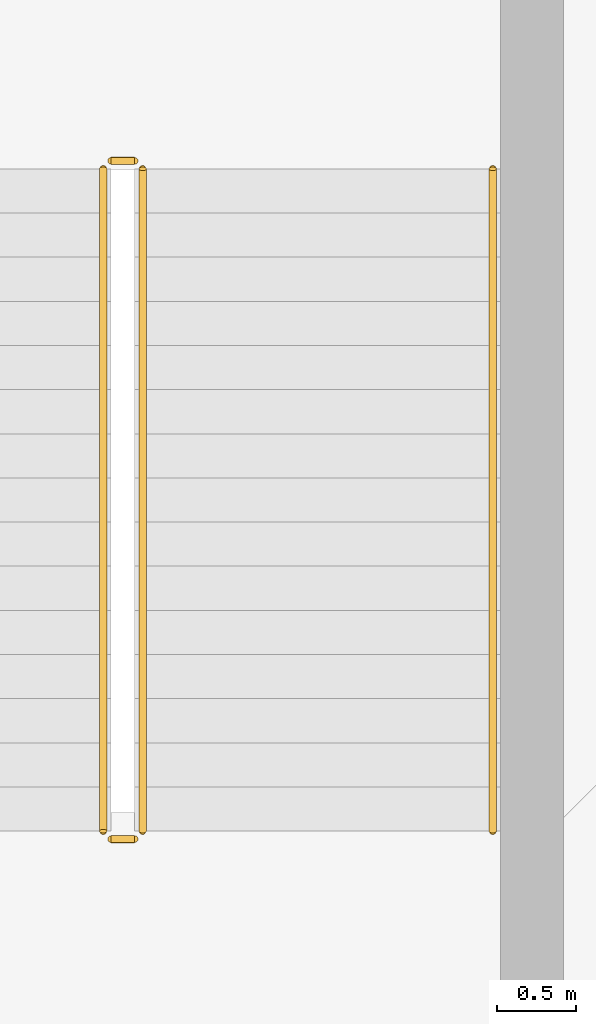
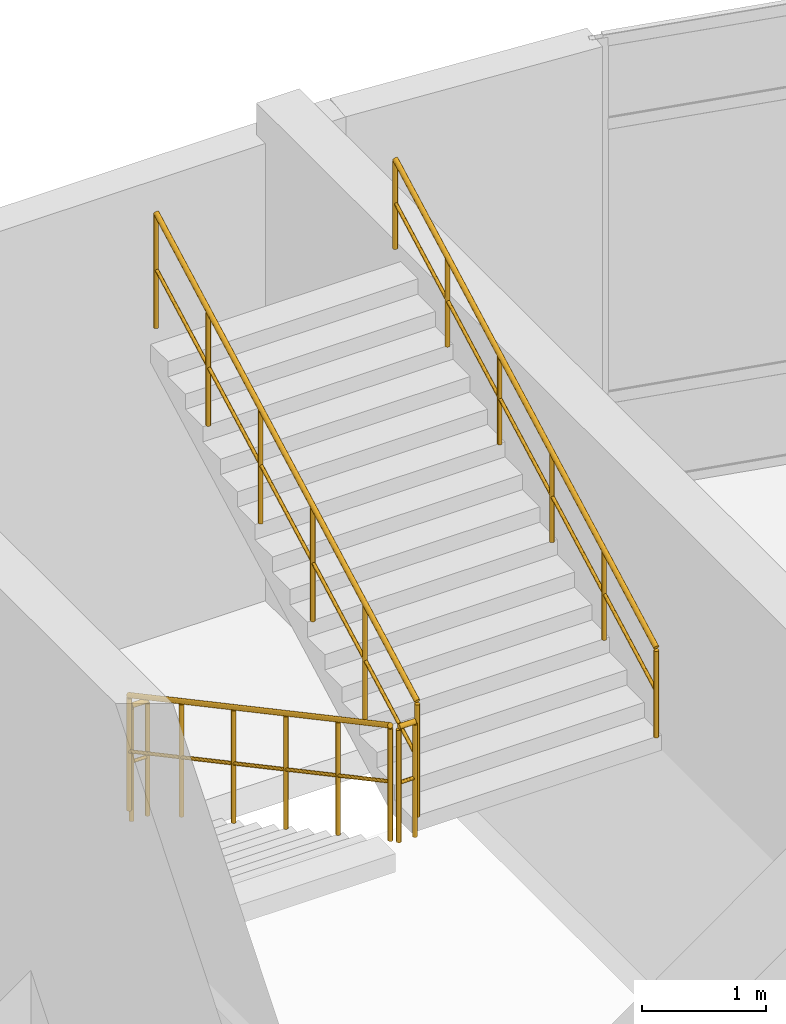
# One storey, part 75 of 76: 5 railings.
"""IFC4 building model written with IfcOpenShell, lengths in metres."""

from ifc_helpers import new_model, si_unit, derived_unit, direction, frame, origin, origin_2d, place, context, subcontext, project, spatial, circle, extrude, material, type_object, element, save


model = new_model("IFC4")

# Units and contexts
model_context = context("Model", 3, precision=1e-05, world=origin(), true_north=direction((0.0, 1.0)))
body_context = subcontext(model_context, "Body", "Model", "MODEL_VIEW")
ifc_project = project(units=[si_unit("LENGTHUNIT", "METRE"), si_unit("AREAUNIT", "SQUARE_METRE"), si_unit("VOLUMEUNIT", "CUBIC_METRE"), si_unit("PLANEANGLEUNIT", "RADIAN"), si_unit("MASSUNIT", "GRAM", prefix="KILO"), derived_unit("THERMALTRANSMITTANCEUNIT", [(si_unit("MASSUNIT", "GRAM", prefix="KILO"), 1), (si_unit("TIMEUNIT", "SECOND"), -3), (si_unit("THERMODYNAMICTEMPERATUREUNIT", "KELVIN"), -1)])], contexts=[model_context])

# Site, building, storey
site_placement = place(None, origin())
site = spatial("IfcSite", under=ifc_project, at=site_placement, CompositionType="ELEMENT")
building_placement = place(site_placement, origin())
building = spatial("IfcBuilding", under=site, at=building_placement, Name="Qinzheling Arcade Emporium", CompositionType="ELEMENT")
storey_placement = place(building_placement, frame((0.0, 0.0, 26.699951171875)))
storey = spatial("IfcBuildingStorey", under=building, at=storey_placement, Name="L06", CompositionType="ELEMENT", Elevation=26.699951171875)

# Railings
ifc_material_1 = material(Name="Galvanised powder-coated tubular steel", Category="steel")
railing_type_1 = type_object("IfcRailingType", Name="Painted Steel Stairwell Guard Railing 1150", PredefinedType="GUARDRAIL", material=ifc_material_1)
railing_1_placement = place(storey_placement, frame((117.324951171875, 104.47998046875, 0.150146484375)))
element("IfcRailing", 1, at=railing_1_placement, inside=storey, type_object=railing_type_1, Name="L06 ST08 stair guard 1", PredefinedType="GUARDRAIL", context=body_context, shape_type="SweptSolid", body=[
    extrude(circle(Radius=0.02392578125, at=origin_2d()), frame((0.0, 0.0, 1.1259765625), z_axis=(0.0, -0.881477684796, 0.472225678258), x_axis=(1.0, 0.0, 0.0)), (0.0, 0.0, 1.0), 4.7646484375),
    extrude(circle(Radius=0.01611328125, at=origin_2d()), frame((0.0, 0.0, 0.574951171875), z_axis=(0.0, -0.881477684796, 0.472225678258), x_axis=(1.0, 0.0, 0.0)), (0.0, 0.0, 1.0), 4.7646484375),
    extrude(circle(Radius=0.02099609375, at=origin_2d()), origin(), (0.0, 0.0, 1.0), 1.101806640625),
    extrude(circle(Radius=0.02099609375, at=origin_2d()), frame((0.0, -0.840087890625, 0.449951171875)), (0.0, 0.0, 1.0), 1.101806640625),
    extrude(circle(Radius=0.02099609375, at=origin_2d()), frame((0.0, -1.679931640625, 0.89990234375)), (0.0, 0.0, 1.0), 1.101806640625),
    extrude(circle(Radius=0.02099609375, at=origin_2d()), frame((0.0, -2.52001953125, 1.35009765625)), (0.0, 0.0, 1.0), 1.101806640625),
    extrude(circle(Radius=0.02099609375, at=origin_2d()), frame((0.0, -3.35986328125, 1.800048828125)), (0.0, 0.0, 1.0), 1.101806640625),
    extrude(circle(Radius=0.02099609375, at=origin_2d()), frame((0.0, -4.199951171875, 2.25)), (0.0, 0.0, 1.0), 1.101806640625),
])
railing_2_placement = place(storey_placement, frame((117.375, 100.22998046875, 2.400146484375)))
element("IfcRailing", 2, at=railing_2_placement, inside=storey, type_object=railing_type_1, Name="L06 ST08 stair guard 2", PredefinedType="GUARDRAIL", context=body_context, shape_type="SweptSolid", body=[
    extrude(circle(Radius=0.02392578125, at=origin_2d()), frame((0.0, 0.0, 1.1259765625), z_axis=(1.0, 0.0, 0.0), x_axis=(0.0, 1.0, 0.0)), (0.0, 0.0, 1.0), 0.14990234375),
    extrude(circle(Radius=0.01611328125, at=origin_2d()), frame((0.0, 0.0, 0.574951171875), z_axis=(1.0, 0.0, 0.0), x_axis=(0.0, 1.0, 0.0)), (0.0, 0.0, 1.0), 0.14990234375),
    extrude(circle(Radius=0.02099609375, at=origin_2d()), origin(), (0.0, 0.0, 1.0), 1.101806640625),
    extrude(circle(Radius=0.02099609375, at=origin_2d()), frame((0.14990234375, 0.0, 0.0)), (0.0, 0.0, 1.0), 1.101806640625),
])
railing_3_placement = place(storey_placement, frame((117.574951171875, 100.280029296875, 2.550048828125)))
element("IfcRailing", 3, at=railing_3_placement, inside=storey, type_object=railing_type_1, Name="L06 ST08 stair guard 3", PredefinedType="GUARDRAIL", context=body_context, shape_type="SweptSolid", body=[
    extrude(circle(Radius=0.02392578125, at=origin_2d()), frame((0.0, 0.0, 1.1259765625), z_axis=(0.0, 0.881477684796, 0.472225678258), x_axis=(-1.0, 0.0, 0.0)), (0.0, 0.0, 1.0), 4.7646484375),
    extrude(circle(Radius=0.01611328125, at=origin_2d()), frame((0.0, 0.0, 0.574951171875), z_axis=(0.0, 0.881477684796, 0.472225678258), x_axis=(-1.0, 0.0, 0.0)), (0.0, 0.0, 1.0), 4.7646484375),
    extrude(circle(Radius=0.02099609375, at=origin_2d()), origin(), (0.0, 0.0, 1.0), 1.101806640625),
    extrude(circle(Radius=0.02099609375, at=origin_2d()), frame((0.0, 0.840087890625, 0.449951171875)), (0.0, 0.0, 1.0), 1.101806640625),
    extrude(circle(Radius=0.02099609375, at=origin_2d()), frame((0.0, 1.679931640625, 0.89990234375)), (0.0, 0.0, 1.0), 1.101806640625),
    extrude(circle(Radius=0.02099609375, at=origin_2d()), frame((0.0, 2.52001953125, 1.35009765625)), (0.0, 0.0, 1.0), 1.101806640625),
    extrude(circle(Radius=0.02099609375, at=origin_2d()), frame((0.0, 3.35986328125, 1.800048828125)), (0.0, 0.0, 1.0), 1.101806640625),
    extrude(circle(Radius=0.02099609375, at=origin_2d()), frame((0.0, 4.199951171875, 2.25)), (0.0, 0.0, 1.0), 1.101806640625),
])
railing_4_placement = place(storey_placement, frame((117.375, 104.530029296875, 0.0)))
element("IfcRailing", 4, at=railing_4_placement, inside=storey, type_object=railing_type_1, Name="L06 ST08 stair guard 4", PredefinedType="GUARDRAIL", context=body_context, shape_type="SweptSolid", body=[
    extrude(circle(Radius=0.02392578125, at=origin_2d()), frame((0.0, 0.0, 1.1259765625), z_axis=(1.0, 0.0, 0.0), x_axis=(0.0, 1.0, 0.0)), (0.0, 0.0, 1.0), 0.14990234375),
    extrude(circle(Radius=0.01611328125, at=origin_2d()), frame((0.0, 0.0, 0.574951171875), z_axis=(1.0, 0.0, 0.0), x_axis=(0.0, 1.0, 0.0)), (0.0, 0.0, 1.0), 0.14990234375),
    extrude(circle(Radius=0.02099609375, at=origin_2d()), origin(), (0.0, 0.0, 1.0), 1.101806640625),
    extrude(circle(Radius=0.02099609375, at=origin_2d()), frame((0.14990234375, 0.0, 0.0)), (0.0, 0.0, 1.0), 1.101806640625),
])
ifc_material_2 = material(Name="Brushed stainless steel 304", Category="steel")
railing_type_2 = type_object("IfcRailingType", Name="Stainless Steel Wall Handrail 900", PredefinedType="HANDRAIL", material=ifc_material_2)
railing_5_placement = place(storey_placement, frame((119.794921875, 100.280029296875, 2.550048828125)))
element("IfcRailing", 5, at=railing_5_placement, inside=storey, type_object=railing_type_2, Name="L06 ST08 stair handrail 2", PredefinedType="HANDRAIL", context=body_context, shape_type="SweptSolid", body=[
    extrude(circle(Radius=0.02392578125, at=origin_2d()), frame((0.0, 0.0, 0.8759765625), z_axis=(0.0, 0.881477684796, 0.472225678258), x_axis=(-1.0, 0.0, 0.0)), (0.0, 0.0, 1.0), 4.7646484375),
    extrude(circle(Radius=0.01611328125, at=origin_2d()), frame((0.0, 0.0, 0.449951171875), z_axis=(0.0, 0.881477684796, 0.472225678258), x_axis=(-1.0, 0.0, 0.0)), (0.0, 0.0, 1.0), 4.7646484375),
    extrude(circle(Radius=0.02099609375, at=origin_2d()), origin(), (0.0, 0.0, 1.0), 0.851806640625),
    extrude(circle(Radius=0.02099609375, at=origin_2d()), frame((0.0, 0.840087890625, 0.449951171875)), (0.0, 0.0, 1.0), 0.851806640625),
    extrude(circle(Radius=0.02099609375, at=origin_2d()), frame((0.0, 1.679931640625, 0.89990234375)), (0.0, 0.0, 1.0), 0.851806640625),
    extrude(circle(Radius=0.02099609375, at=origin_2d()), frame((0.0, 2.52001953125, 1.35009765625)), (0.0, 0.0, 1.0), 0.851806640625),
    extrude(circle(Radius=0.02099609375, at=origin_2d()), frame((0.0, 3.35986328125, 1.800048828125)), (0.0, 0.0, 1.0), 0.851806640625),
    extrude(circle(Radius=0.02099609375, at=origin_2d()), frame((0.0, 4.199951171875, 2.25)), (0.0, 0.0, 1.0), 0.851806640625),
])

save(model, "model.ifc")
